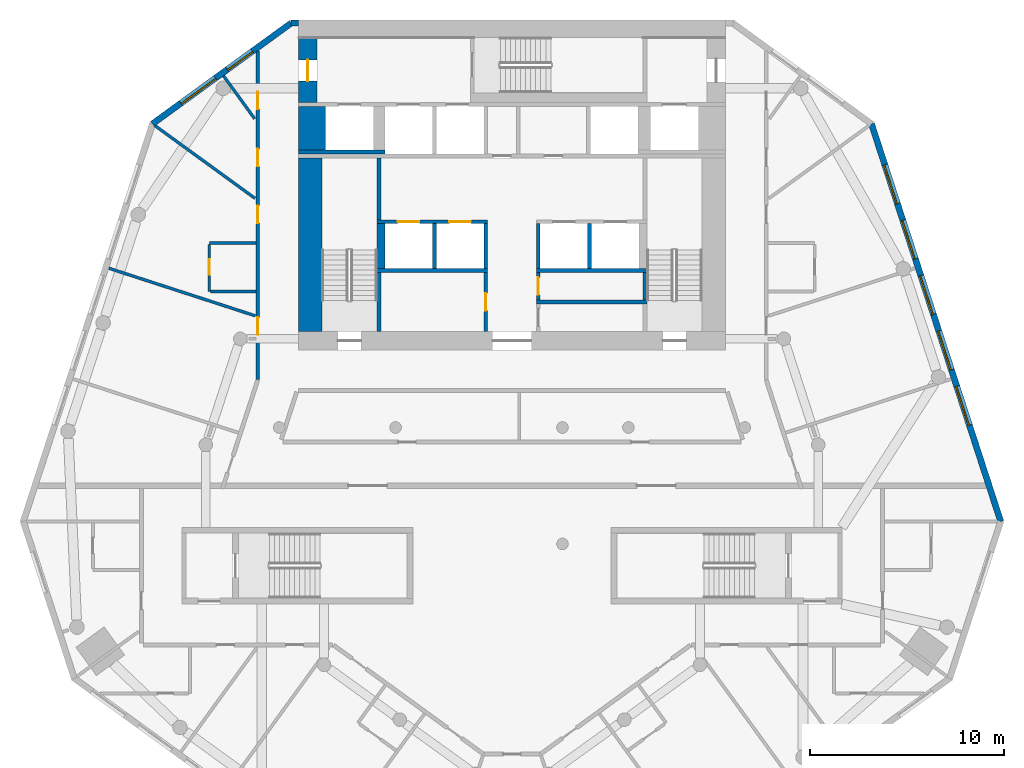
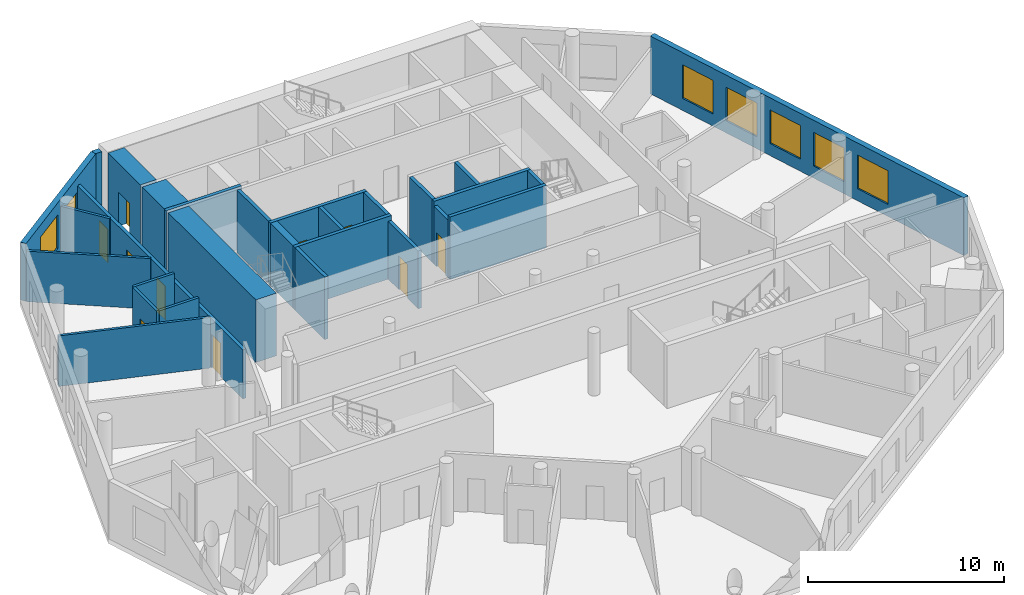
# One storey, part 5 of 9: 28 walls, 10 doors, 7 windows, 17 openings.
"""IFC4 building model written with IfcOpenShell, lengths in metres."""

from ifc_helpers import new_model, si_unit, direction, frame, frame_2d, origin, place, context, subcontext, project, spatial, rectangle, extrude, material, layer, layer_set, type_object, element, fill, save


model = new_model("IFC4")

# Units and contexts
model_context = context("Model", 3, precision=1e-05, world=origin(), true_north=direction((0.0, 1.0)))
body_context = subcontext(model_context, "Body", "Model", "MODEL_VIEW")
ifc_project = project(units=[si_unit("LENGTHUNIT", "METRE"), si_unit("AREAUNIT", "SQUARE_METRE"), si_unit("VOLUMEUNIT", "CUBIC_METRE"), si_unit("PLANEANGLEUNIT", "RADIAN"), si_unit("MASSUNIT", "GRAM", prefix="KILO")], contexts=[model_context])

# Site, building, storey
site_placement = place(None, origin())
site = spatial("IfcSite", under=ifc_project, at=site_placement, CompositionType="ELEMENT")
building_placement = place(site_placement, origin())
building = spatial("IfcBuilding", under=site, at=building_placement, Name="White Candle Pilgrim Tower", CompositionType="ELEMENT")
storey_placement = place(building_placement, frame((0.0, 0.0, 164.199951171875)))
storey = spatial("IfcBuildingStorey", under=building, at=storey_placement, Name="L37", CompositionType="ELEMENT", Elevation=164.199951171875)

# Walls
ifc_material_1 = material(Name="Concrete C60/75", Category="concrete")
ifc_layer_1 = layer(ifc_material_1, 1.39990234375)
ifc_layer_set_1 = layer_set([ifc_layer_1], Name="Core wall 1400 mm Concrete C60/75")
wall_type_1 = type_object("IfcWallType", Name="Core wall 1400 mm Concrete C60/75", PredefinedType="SHEAR", material=ifc_layer_set_1)
wall_1_placement = place(storey_placement, frame((59.699951171875, 81.300048828125, 0.0), z_axis=(0.0, 0.0, 1.0), x_axis=(0.0, 1.0, 0.0)))
element("IfcWall", 1, at=wall_1_placement, inside=storey, type_object=wall_type_1, Name="WL-L37-C40", PredefinedType="SHEAR", context=body_context, shape_type="SweptSolid", body=[
    extrude(rectangle(XDim=2.25, YDim=1.39990234375, at=frame_2d((1.125, 0.0))), origin(), (0.0, 0.0, 1.0), 3.900146484375),
])
ifc_layer_2 = layer(ifc_material_1, 0.199951171875)
ifc_layer_set_2 = layer_set([ifc_layer_2], Name="Core wall 200 mm Concrete C60/75")
wall_type_2 = type_object("IfcWallType", Name="Core wall 200 mm Concrete C60/75", PredefinedType="SHEAR", material=ifc_layer_set_2)
wall_2_placement = place(storey_placement, frame((59.0, 81.199951171875, 0.0), z_axis=(0.0, 0.0, 1.0), x_axis=(1.0, 0.0, 0.0)))
element("IfcWall", 2, at=wall_2_placement, inside=storey, type_object=wall_type_2, Name="WL-L37-C34", PredefinedType="SHEAR", context=body_context, shape_type="SweptSolid", body=[
    extrude(rectangle(XDim=4.449951171875, YDim=0.199951171875, at=frame_2d((2.22509765625, 0.0))), origin(), (0.0, 0.0, 1.0), 3.900146484375),
])

# Wall, opening, door
ifc_layer_3 = layer(ifc_material_1, 0.949951171875)
ifc_layer_set_3 = layer_set([ifc_layer_3], Name="Core wall 950 mm Concrete C60/75")
wall_type_3 = type_object("IfcWallType", Name="Core wall 950 mm Concrete C60/75", PredefinedType="SHEAR", material=ifc_layer_set_3)
wall_3_placement = place(storey_placement, frame((59.47509765625, 83.75, 0.0), z_axis=(0.0, 0.0, 1.0), x_axis=(0.0, 1.0, 0.0)))
wall_3 = element("IfcWall", 3, at=wall_3_placement, inside=storey, type_object=wall_type_3, Name="WL-L37-C45", PredefinedType="SHEAR", context=body_context, shape_type="SweptSolid", body=[
    extrude(rectangle(XDim=3.300048828125, YDim=0.949951171875, at=frame_2d((1.64990234375, 0.0))), origin(), (0.0, 0.0, 1.0), 3.900146484375),
])
opening_1_placement = place(wall_3_placement, frame((1.10009765625, 0.0, 0.0)))
opening_1 = element("IfcOpeningElement", 4, at=opening_1_placement, cuts=wall_3, Name="Opening T11-008", PredefinedType="OPENING", context=body_context, shape_type="SweptSolid", body=[
    extrude(rectangle(XDim=1.10009765625, YDim=2.10009765625, at=frame_2d((0.550048828125, 1.050048828125))), frame((0.0, 0.48486328125, 0.0), z_axis=(0.0, -1.0, 0.0), x_axis=(1.0, 0.0, 0.0)), (0.0, 0.0, 1.0), 0.969970703125),
])
ifc_material_2 = material(Name="Steel door leaf", Category="steel")
door_type_1 = type_object("IfcDoorType", Name="Fire door 1100 x 2100 EI 60", OperationType="NOTDEFINED", PredefinedType="DOOR", material=ifc_material_2)
door_1_placement = place(opening_1_placement, origin())
door_1 = element("IfcDoor", 5, at=door_1_placement, inside=storey, type_object=door_type_1, Name="Door T11-008", OperationType="SINGLE_SWING_RIGHT", OverallHeight=2.10009765625, OverallWidth=1.10009765625, PredefinedType="DOOR", context=body_context, shape_type="SweptSolid", body=[
    extrude(rectangle(XDim=1.10009765625, YDim=2.10009765625, at=frame_2d((0.550048828125, 1.050048828125))), frame((0.0, 0.02490234375, 0.0), z_axis=(0.0, -1.0, 0.0), x_axis=(1.0, 0.0, 0.0)), (0.0, 0.0, 1.0), 0.050048828125),
])
fill(opening_1, door_1)

# Wall, openings, doors
ifc_material_3 = material(Name="Gypsum board on steel studs", Category="steel")
ifc_layer_4 = layer(ifc_material_3, 0.199951171875)
ifc_layer_set_4 = layer_set([ifc_layer_4], Name="Corridor wall 200 mm EI 45")
wall_type_4 = type_object("IfcWallType", Name="Corridor wall 200 mm EI 45", PredefinedType="PARTITIONING", material=ifc_layer_set_4)
wall_4_placement = place(storey_placement, frame((56.89990234375, 69.472900390625, 0.0), z_axis=(0.0, 0.0, 1.0), x_axis=(0.0, 1.0, 0.0)))
wall_4 = element("IfcWall", 6, at=wall_4_placement, inside=storey, type_object=wall_type_4, Name="WL-L37-P003", PredefinedType="PARTITIONING", context=body_context, shape_type="SweptSolid", body=[
    extrude(rectangle(XDim=16.92333984375, YDim=0.199951171875, at=frame_2d((8.461669921875, 0.0))), origin(), (0.0, 0.0, 1.0), 3.050048828125),
])
opening_2_placement = place(wall_4_placement, frame((2.29638671875, 0.0, 0.0)))
opening_2 = element("IfcOpeningElement", 7, at=opening_2_placement, cuts=wall_4, Name="Opening T11-125", PredefinedType="OPENING", context=body_context, shape_type="SweptSolid", body=[
    extrude(rectangle(XDim=0.89990234375, YDim=2.10009765625, at=frame_2d((0.449951171875, 1.050048828125))), frame((0.0, 0.10986328125, 0.0), z_axis=(0.0, -1.0, 0.0), x_axis=(1.0, 0.0, 0.0)), (0.0, 0.0, 1.0), 0.219970703125),
])
opening_3_placement = place(wall_4_placement, frame((8.06298828125, 0.0, 0.0)))
opening_3 = element("IfcOpeningElement", 8, at=opening_3_placement, cuts=wall_4, Name="Opening T11-126", PredefinedType="OPENING", context=body_context, shape_type="SweptSolid", body=[
    extrude(rectangle(XDim=0.89990234375, YDim=2.10009765625, at=frame_2d((0.449951171875, 1.050048828125))), frame((0.0, 0.10986328125, 0.0), z_axis=(0.0, -1.0, 0.0), x_axis=(1.0, 0.0, 0.0)), (0.0, 0.0, 1.0), 0.219970703125),
])
opening_4_placement = place(wall_4_placement, frame((10.989501953125, 0.0, 0.0)))
opening_4 = element("IfcOpeningElement", 9, at=opening_4_placement, cuts=wall_4, Name="Opening T11-127", PredefinedType="OPENING", context=body_context, shape_type="SweptSolid", body=[
    extrude(rectangle(XDim=0.89990234375, YDim=2.10009765625, at=frame_2d((0.449951171875, 1.050048828125))), frame((0.0, 0.10986328125, 0.0), z_axis=(0.0, -1.0, 0.0), x_axis=(1.0, 0.0, 0.0)), (0.0, 0.0, 1.0), 0.219970703125),
])
opening_5_placement = place(wall_4_placement, frame((13.934814453125, 0.0, 0.0)))
opening_5 = element("IfcOpeningElement", 10, at=opening_5_placement, cuts=wall_4, Name="Opening T11-128", PredefinedType="OPENING", context=body_context, shape_type="SweptSolid", body=[
    extrude(rectangle(XDim=0.89990234375, YDim=2.10009765625, at=frame_2d((0.449951171875, 1.050048828125))), frame((0.0, 0.10986328125, 0.0), z_axis=(0.0, -1.0, 0.0), x_axis=(1.0, 0.0, 0.0)), (0.0, 0.0, 1.0), 0.219970703125),
])
door_type_2 = type_object("IfcDoorType", Name="Fire door 900 x 2100 EI 30", OperationType="NOTDEFINED", PredefinedType="DOOR", material=ifc_material_2)
door_2_placement = place(opening_2_placement, origin())
door_2 = element("IfcDoor", 11, at=door_2_placement, inside=storey, type_object=door_type_2, Name="Door T11-125", OperationType="SINGLE_SWING_RIGHT", OverallHeight=2.10009765625, OverallWidth=0.89990234375, PredefinedType="DOOR", context=body_context, shape_type="SweptSolid", body=[
    extrude(rectangle(XDim=0.89990234375, YDim=2.10009765625, at=frame_2d((0.449951171875, 1.050048828125))), frame((0.0, 0.02490234375, 0.0), z_axis=(0.0, -1.0, 0.0), x_axis=(1.0, 0.0, 0.0)), (0.0, 0.0, 1.0), 0.050048828125),
])
fill(opening_2, door_2)
door_3_placement = place(opening_3_placement, origin())
door_3 = element("IfcDoor", 12, at=door_3_placement, inside=storey, type_object=door_type_2, Name="Door T11-126", OperationType="SINGLE_SWING_RIGHT", OverallHeight=2.10009765625, OverallWidth=0.89990234375, PredefinedType="DOOR", context=body_context, shape_type="SweptSolid", body=[
    extrude(rectangle(XDim=0.89990234375, YDim=2.10009765625, at=frame_2d((0.449951171875, 1.050048828125))), frame((0.0, 0.02490234375, 0.0), z_axis=(0.0, -1.0, 0.0), x_axis=(1.0, 0.0, 0.0)), (0.0, 0.0, 1.0), 0.050048828125),
])
fill(opening_3, door_3)
door_4_placement = place(opening_4_placement, origin())
door_4 = element("IfcDoor", 13, at=door_4_placement, inside=storey, type_object=door_type_2, Name="Door T11-127", OperationType="SINGLE_SWING_LEFT", OverallHeight=2.10009765625, OverallWidth=0.89990234375, PredefinedType="DOOR", context=body_context, shape_type="SweptSolid", body=[
    extrude(rectangle(XDim=0.89990234375, YDim=2.10009765625, at=frame_2d((0.449951171875, 1.050048828125))), frame((0.0, 0.02490234375, 0.0), z_axis=(0.0, -1.0, 0.0), x_axis=(1.0, 0.0, 0.0)), (0.0, 0.0, 1.0), 0.050048828125),
])
fill(opening_4, door_4)
door_5_placement = place(opening_5_placement, origin())
door_5 = element("IfcDoor", 14, at=door_5_placement, inside=storey, type_object=door_type_2, Name="Door T11-128", OperationType="SINGLE_SWING_RIGHT", OverallHeight=2.10009765625, OverallWidth=0.89990234375, PredefinedType="DOOR", context=body_context, shape_type="SweptSolid", body=[
    extrude(rectangle(XDim=0.89990234375, YDim=2.10009765625, at=frame_2d((0.449951171875, 1.050048828125))), frame((0.0, 0.02490234375, 0.0), z_axis=(0.0, -1.0, 0.0), x_axis=(1.0, 0.0, 0.0)), (0.0, 0.0, 1.0), 0.050048828125),
])
fill(opening_5, door_5)

# Wall, openings, windows
ifc_material_4 = material(Name="Precast concrete C40/50", Category="concrete")
ifc_layer_5 = layer(ifc_material_4, 0.320068359375)
ifc_layer_set_5 = layer_set([ifc_layer_5], Name="Facade wall EW1 precast concrete C40/50 pier wall with timber-lined reveals")
wall_type_5 = type_object("IfcWallType", Name="Facade wall EW1 precast concrete C40/50 pier wall with timber-lined reveals", PredefinedType="SOLIDWALL", material=ifc_layer_set_5)
wall_5_placement = place(storey_placement, frame((95.18701171875, 62.158447265625, 0.0), z_axis=(0.0, 0.0, 1.0), x_axis=(-0.309015355068, 0.951057048937, 0.0)))
wall_5 = element("IfcWall", 15, at=wall_5_placement, inside=storey, type_object=wall_type_5, Name="Facade wall L37 ENE", PredefinedType="SOLIDWALL", context=body_context, shape_type="SweptSolid", body=[
    extrude(rectangle(XDim=21.545654296875, YDim=0.320068359375, at=frame_2d((10.77294921875, 0.0))), origin(), (0.0, 0.0, 1.0), 3.60009765625),
])
opening_6_placement = place(wall_5_placement, frame((5.222900390625, 0.0, 0.75)))
opening_6 = element("IfcOpeningElement", 16, at=opening_6_placement, cuts=wall_5, Name="Opening W3", PredefinedType="OPENING", context=body_context, shape_type="SweptSolid", body=[
    extrude(rectangle(XDim=2.10009765625, YDim=2.10009765625, at=frame_2d((1.050048828125, 1.050048828125))), frame((0.0, 0.169921875, 0.0), z_axis=(0.0, -1.0, 0.0), x_axis=(1.0, 0.0, 0.0)), (0.0, 0.0, 1.0), 0.340087890625),
])
opening_7_placement = place(wall_5_placement, frame((8.222900390625, 0.0, 0.75)))
opening_7 = element("IfcOpeningElement", 17, at=opening_7_placement, cuts=wall_5, Name="Opening W3", PredefinedType="OPENING", context=body_context, shape_type="SweptSolid", body=[
    extrude(rectangle(XDim=2.10009765625, YDim=2.10009765625, at=frame_2d((1.050048828125, 1.050048828125))), frame((0.0, 0.169921875, 0.0), z_axis=(0.0, -1.0, 0.0), x_axis=(1.0, 0.0, 0.0)), (0.0, 0.0, 1.0), 0.340087890625),
])
opening_8_placement = place(wall_5_placement, frame((11.222900390625, 0.0, 0.75)))
opening_8 = element("IfcOpeningElement", 18, at=opening_8_placement, cuts=wall_5, Name="Opening W3", PredefinedType="OPENING", context=body_context, shape_type="SweptSolid", body=[
    extrude(rectangle(XDim=2.10009765625, YDim=2.10009765625, at=frame_2d((1.050048828125, 1.050048828125))), frame((0.0, 0.169921875, 0.0), z_axis=(0.0, -1.0, 0.0), x_axis=(1.0, 0.0, 0.0)), (0.0, 0.0, 1.0), 0.340087890625),
])
opening_9_placement = place(wall_5_placement, frame((14.222900390625, 0.0, 0.75)))
opening_9 = element("IfcOpeningElement", 19, at=opening_9_placement, cuts=wall_5, Name="Opening W3", PredefinedType="OPENING", context=body_context, shape_type="SweptSolid", body=[
    extrude(rectangle(XDim=2.10009765625, YDim=2.10009765625, at=frame_2d((1.050048828125, 1.050048828125))), frame((0.0, 0.169921875, 0.0), z_axis=(0.0, -1.0, 0.0), x_axis=(1.0, 0.0, 0.0)), (0.0, 0.0, 1.0), 0.340087890625),
])
opening_10_placement = place(wall_5_placement, frame((17.222900390625, 0.0, 0.75)))
opening_10 = element("IfcOpeningElement", 20, at=opening_10_placement, cuts=wall_5, Name="Opening W3", PredefinedType="OPENING", context=body_context, shape_type="SweptSolid", body=[
    extrude(rectangle(XDim=2.10009765625, YDim=2.10009765625, at=frame_2d((1.050048828125, 1.050048828125))), frame((0.0, 0.169921875, 0.0), z_axis=(0.0, -1.0, 0.0), x_axis=(1.0, 0.0, 0.0)), (0.0, 0.0, 1.0), 0.340087890625),
])
ifc_material_5 = material(Name="Timber frame with triple glazing", Category="wood")
window_type_1 = type_object("IfcWindowType", Name="Window W3 2100x2100 timber frame triple glazing", PartitioningType="SINGLE_PANEL", PredefinedType="WINDOW", material=ifc_material_5)
window_1_placement = place(opening_6_placement, origin())
window_1 = element("IfcWindow", 21, at=window_1_placement, inside=storey, type_object=window_type_1, Name="Window W3 L37 ENE 2", OverallHeight=2.10009765625, OverallWidth=2.10009765625, PartitioningType="SINGLE_PANEL", PredefinedType="WINDOW", context=body_context, shape_type="SweptSolid", body=[
    extrude(rectangle(XDim=2.10009765625, YDim=2.10009765625, at=frame_2d((1.050048828125, 1.050048828125))), frame((0.0, 0.070068359375, 0.0), z_axis=(0.0, -1.0, 0.0), x_axis=(1.0, 0.0, 0.0)), (0.0, 0.0, 1.0), 0.06005859375),
])
fill(opening_6, window_1)
window_2_placement = place(opening_7_placement, origin())
window_2 = element("IfcWindow", 22, at=window_2_placement, inside=storey, type_object=window_type_1, Name="Window W3 L37 ENE 3", OverallHeight=2.10009765625, OverallWidth=2.10009765625, PartitioningType="SINGLE_PANEL", PredefinedType="WINDOW", context=body_context, shape_type="SweptSolid", body=[
    extrude(rectangle(XDim=2.10009765625, YDim=2.10009765625, at=frame_2d((1.050048828125, 1.050048828125))), frame((0.0, 0.070068359375, 0.0), z_axis=(0.0, -1.0, 0.0), x_axis=(1.0, 0.0, 0.0)), (0.0, 0.0, 1.0), 0.06005859375),
])
fill(opening_7, window_2)
window_3_placement = place(opening_8_placement, origin())
window_3 = element("IfcWindow", 23, at=window_3_placement, inside=storey, type_object=window_type_1, Name="Window W3 L37 ENE 4", OverallHeight=2.10009765625, OverallWidth=2.10009765625, PartitioningType="SINGLE_PANEL", PredefinedType="WINDOW", context=body_context, shape_type="SweptSolid", body=[
    extrude(rectangle(XDim=2.10009765625, YDim=2.10009765625, at=frame_2d((1.050048828125, 1.050048828125))), frame((0.0, 0.070068359375, 0.0), z_axis=(0.0, -1.0, 0.0), x_axis=(1.0, 0.0, 0.0)), (0.0, 0.0, 1.0), 0.06005859375),
])
fill(opening_8, window_3)
window_4_placement = place(opening_9_placement, origin())
window_4 = element("IfcWindow", 24, at=window_4_placement, inside=storey, type_object=window_type_1, Name="Window W3 L37 ENE 5", OverallHeight=2.10009765625, OverallWidth=2.10009765625, PartitioningType="SINGLE_PANEL", PredefinedType="WINDOW", context=body_context, shape_type="SweptSolid", body=[
    extrude(rectangle(XDim=2.10009765625, YDim=2.10009765625, at=frame_2d((1.050048828125, 1.050048828125))), frame((0.0, 0.070068359375, 0.0), z_axis=(0.0, -1.0, 0.0), x_axis=(1.0, 0.0, 0.0)), (0.0, 0.0, 1.0), 0.06005859375),
])
fill(opening_9, window_4)
window_5_placement = place(opening_10_placement, origin())
window_5 = element("IfcWindow", 25, at=window_5_placement, inside=storey, type_object=window_type_1, Name="Window W3 L37 ENE 6", OverallHeight=2.10009765625, OverallWidth=2.10009765625, PartitioningType="SINGLE_PANEL", PredefinedType="WINDOW", context=body_context, shape_type="SweptSolid", body=[
    extrude(rectangle(XDim=2.10009765625, YDim=2.10009765625, at=frame_2d((1.050048828125, 1.050048828125))), frame((0.0, 0.070068359375, 0.0), z_axis=(0.0, -1.0, 0.0), x_axis=(1.0, 0.0, 0.0)), (0.0, 0.0, 1.0), 0.06005859375),
])
fill(opening_10, window_5)

# Wall
wall_6_placement = place(storey_placement, frame((59.0, 87.840087890625, 0.0), z_axis=(0.0, 0.0, 1.0), x_axis=(-1.0, 0.0, 0.0)))
element("IfcWall", 26, at=wall_6_placement, inside=storey, type_object=wall_type_5, Name="Facade wall L37 N", PredefinedType="SOLIDWALL", context=body_context, shape_type="SweptSolid", body=[
    extrude(rectangle(XDim=0.385009765625, YDim=0.320068359375, at=frame_2d((0.1923828125, 0.0))), origin(), (0.0, 0.0, 1.0), 3.60009765625),
])

# Wall, openings, windows
wall_7_placement = place(storey_placement, frame((58.614990234375, 87.840087890625, 0.0), z_axis=(0.0, 0.0, 1.0), x_axis=(-0.809018144148, -0.587783669762, 0.0)))
wall_7 = element("IfcWall", 27, at=wall_7_placement, inside=storey, type_object=wall_type_5, Name="Facade wall L37 NW chamfer", PredefinedType="SOLIDWALL", context=body_context, shape_type="SweptSolid", body=[
    extrude(rectangle(XDim=8.83056640625, YDim=0.320068359375, at=frame_2d((4.415283203125, 0.0))), origin(), (0.0, 0.0, 1.0), 3.60009765625),
])
opening_11_placement = place(wall_7_placement, frame((2.459716796875, 0.0, 0.89990234375)))
opening_11 = element("IfcOpeningElement", 28, at=opening_11_placement, cuts=wall_7, Name="Opening W2", PredefinedType="OPENING", context=body_context, shape_type="SweptSolid", body=[
    extrude(rectangle(XDim=1.60009765625, YDim=1.800048828125, at=frame_2d((0.800048828125, 0.89990234375))), frame((0.0, 0.169921875, 0.0), z_axis=(0.0, -1.0, 0.0), x_axis=(1.0, 0.0, 0.0)), (0.0, 0.0, 1.0), 0.340087890625),
])
opening_12_placement = place(wall_7_placement, frame((4.815185546875, 0.0, 0.75)))
opening_12 = element("IfcOpeningElement", 29, at=opening_12_placement, cuts=wall_7, Name="Opening W4", PredefinedType="OPENING", context=body_context, shape_type="SweptSolid", body=[
    extrude(rectangle(XDim=2.199951171875, YDim=2.10009765625, at=frame_2d((1.10009765625, 1.050048828125))), frame((0.0, 0.169921875, 0.0), z_axis=(0.0, -1.0, 0.0), x_axis=(1.0, 0.0, 0.0)), (0.0, 0.0, 1.0), 0.340087890625),
])
window_type_2 = type_object("IfcWindowType", Name="Window W2 1600x1800 timber frame triple glazing", PartitioningType="SINGLE_PANEL", PredefinedType="WINDOW", material=ifc_material_5)
window_6_placement = place(opening_11_placement, origin())
window_6 = element("IfcWindow", 30, at=window_6_placement, inside=storey, type_object=window_type_2, Name="Window W2 L37 NW chamfer 1", OverallHeight=1.800048828125, OverallWidth=1.60009765625, PartitioningType="SINGLE_PANEL", PredefinedType="WINDOW", context=body_context, shape_type="SweptSolid", body=[
    extrude(rectangle(XDim=1.60009765625, YDim=1.800048828125, at=frame_2d((0.800048828125, 0.89990234375))), frame((0.0, 0.070068359375, 0.0), z_axis=(0.0, -1.0, 0.0), x_axis=(1.0, 0.0, 0.0)), (0.0, 0.0, 1.0), 0.06005859375),
])
fill(opening_11, window_6)
window_type_3 = type_object("IfcWindowType", Name="Window W4 2200x2100 timber frame triple glazing", PartitioningType="SINGLE_PANEL", PredefinedType="WINDOW", material=ifc_material_5)
window_7_placement = place(opening_12_placement, origin())
window_7 = element("IfcWindow", 31, at=window_7_placement, inside=storey, type_object=window_type_3, Name="Window W4 L37 NW chamfer 2", OverallHeight=2.10009765625, OverallWidth=2.199951171875, PartitioningType="SINGLE_PANEL", PredefinedType="WINDOW", context=body_context, shape_type="SweptSolid", body=[
    extrude(rectangle(XDim=2.199951171875, YDim=2.10009765625, at=frame_2d((1.10009765625, 1.050048828125))), frame((0.0, 0.070068359375, 0.0), z_axis=(0.0, -1.0, 0.0), x_axis=(1.0, 0.0, 0.0)), (0.0, 0.0, 1.0), 0.06005859375),
])
fill(opening_12, window_7)

# Wall, opening, door
ifc_layer_6 = layer(ifc_material_3, 0.199951171875)
ifc_layer_set_6 = layer_set([ifc_layer_6], Name="Lobby wall 200 mm EI 60")
wall_type_6 = type_object("IfcWallType", Name="Lobby wall 200 mm EI 60", PredefinedType="PARTITIONING", material=ifc_layer_set_6)
wall_8_placement = place(storey_placement, frame((68.64990234375, 71.949951171875, 0.0), z_axis=(0.0, 0.0, 1.0), x_axis=(0.0, 1.0, 0.0)))
wall_8 = element("IfcWall", 32, at=wall_8_placement, inside=storey, type_object=wall_type_6, Name="WL-L37-C14", PredefinedType="PARTITIONING", context=body_context, shape_type="SweptSolid", body=[
    extrude(rectangle(XDim=3.050048828125, YDim=0.199951171875, at=frame_2d((1.52490234375, 0.0))), origin(), (0.0, 0.0, 1.0), 3.60009765625),
])
opening_13_placement = place(wall_8_placement, frame((1.074951171875, 0.0, 0.0)))
opening_13 = element("IfcOpeningElement", 33, at=opening_13_placement, cuts=wall_8, Name="Opening T11-005", PredefinedType="OPENING", context=body_context, shape_type="SweptSolid", body=[
    extrude(rectangle(XDim=0.89990234375, YDim=2.10009765625, at=frame_2d((0.449951171875, 1.050048828125))), frame((0.0, 0.10986328125, 0.0), z_axis=(0.0, -1.0, 0.0), x_axis=(1.0, 0.0, 0.0)), (0.0, 0.0, 1.0), 0.219970703125),
])
door_6_placement = place(opening_13_placement, origin())
door_6 = element("IfcDoor", 34, at=door_6_placement, inside=storey, type_object=door_type_2, Name="Door T11-005", OperationType="SINGLE_SWING_LEFT", OverallHeight=2.10009765625, OverallWidth=0.89990234375, PredefinedType="DOOR", context=body_context, shape_type="SweptSolid", body=[
    extrude(rectangle(XDim=0.89990234375, YDim=2.10009765625, at=frame_2d((0.449951171875, 1.050048828125))), frame((0.0, 0.02490234375, 0.0), z_axis=(0.0, -1.0, 0.0), x_axis=(1.0, 0.0, 0.0)), (0.0, 0.0, 1.0), 0.050048828125),
])
fill(opening_13, door_6)

wall_9_placement = place(storey_placement, frame((71.35009765625, 73.574951171875, 0.0), z_axis=(0.0, 0.0, 1.0), x_axis=(0.0, 1.0, 0.0)))
wall_9 = element("IfcWall", 35, at=wall_9_placement, inside=storey, type_object=wall_type_6, Name="WL-L37-C19", PredefinedType="PARTITIONING", context=body_context, shape_type="SweptSolid", body=[
    extrude(rectangle(XDim=1.425048828125, YDim=0.199951171875, at=frame_2d((0.71240234375, 0.0))), origin(), (0.0, 0.0, 1.0), 3.60009765625),
])
opening_14_placement = place(wall_9_placement, frame((0.262451171875, 0.0, 0.0)))
opening_14 = element("IfcOpeningElement", 36, at=opening_14_placement, cuts=wall_9, Name="Opening T11-007", PredefinedType="OPENING", context=body_context, shape_type="SweptSolid", body=[
    extrude(rectangle(XDim=0.89990234375, YDim=2.10009765625, at=frame_2d((0.449951171875, 1.050048828125))), frame((0.0, 0.10986328125, 0.0), z_axis=(0.0, -1.0, 0.0), x_axis=(1.0, 0.0, 0.0)), (0.0, 0.0, 1.0), 0.219970703125),
])
door_7_placement = place(opening_14_placement, origin())
door_7 = element("IfcDoor", 37, at=door_7_placement, inside=storey, type_object=door_type_2, Name="Door T11-007", OperationType="SINGLE_SWING_LEFT", OverallHeight=2.10009765625, OverallWidth=0.89990234375, PredefinedType="DOOR", context=body_context, shape_type="SweptSolid", body=[
    extrude(rectangle(XDim=0.89990234375, YDim=2.10009765625, at=frame_2d((0.449951171875, 1.050048828125))), frame((0.0, 0.02490234375, 0.0), z_axis=(0.0, -1.0, 0.0), x_axis=(1.0, 0.0, 0.0)), (0.0, 0.0, 1.0), 0.050048828125),
])
fill(opening_14, door_7)

# Walls
ifc_layer_7 = layer(ifc_material_3, 0.14990234375)
ifc_layer_set_7 = layer_set([ifc_layer_7], Name="Partition 150 mm EI 60")
wall_type_7 = type_object("IfcWallType", Name="Partition 150 mm EI 60", PredefinedType="PARTITIONING", material=ifc_layer_set_7)
wall_10_placement = place(storey_placement, frame((51.607177734375, 82.55078125, 0.0), z_axis=(0.0, 0.0, 1.0), x_axis=(0.809018004504, -0.587783861966, 0.0)))
element("IfcWall", 38, at=wall_10_placement, inside=storey, type_object=wall_type_7, Name="WL-L37-P017", PredefinedType="PARTITIONING", context=body_context, shape_type="SweptSolid", body=[
    extrude(rectangle(XDim=6.364013671875, YDim=0.14990234375, at=frame_2d((3.18212890625, 0.0))), origin(), (0.0, 0.0, 1.0), 3.150146484375),
])
wall_11_placement = place(storey_placement, frame((55.13720703125, 85.115478515625, 0.0), z_axis=(0.0, 0.0, 1.0), x_axis=(0.587734915063, -0.809053564121, 0.0)))
element("IfcWall", 39, at=wall_11_placement, inside=storey, type_object=wall_type_7, Name="WL-L37-P025", PredefinedType="PARTITIONING", context=body_context, shape_type="SweptSolid", body=[
    extrude(rectangle(XDim=2.725830078125, YDim=0.14990234375, at=frame_2d((1.36279296875, 0.0))), origin(), (0.0, 0.0, 1.0), 3.150146484375),
])
wall_12_placement = place(storey_placement, frame((49.22119140625, 75.207763671875, 0.0), z_axis=(0.0, 0.0, 1.0), x_axis=(0.951053036923, -0.309027702575, 0.0)))
element("IfcWall", 40, at=wall_12_placement, inside=storey, type_object=wall_type_7, Name="WL-L37-P026", PredefinedType="PARTITIONING", context=body_context, shape_type="SweptSolid", body=[
    extrude(rectangle(XDim=7.944580078125, YDim=0.14990234375, at=frame_2d((3.97216796875, 0.0))), origin(), (0.0, 0.0, 1.0), 3.150146484375),
])
wall_13_placement = place(storey_placement, frame((56.800048828125, 76.5126953125, 0.0), z_axis=(0.0, 0.0, 1.0), x_axis=(-1.0, 0.0, 0.0)))
element("IfcWall", 41, at=wall_13_placement, inside=storey, type_object=wall_type_7, Name="WL-L37-P028", PredefinedType="PARTITIONING", context=body_context, shape_type="SweptSolid", body=[
    extrude(rectangle(XDim=2.400146484375, YDim=0.14990234375, at=frame_2d((1.2001953125, 0.0))), origin(), (0.0, 0.0, 1.0), 3.60009765625),
])

# Wall, opening, door
wall_14_placement = place(storey_placement, frame((54.39990234375, 74.0126953125, 0.0), z_axis=(0.0, 0.0, 1.0), x_axis=(0.0, 1.0, 0.0)))
wall_14 = element("IfcWall", 42, at=wall_14_placement, inside=storey, type_object=wall_type_7, Name="WL-L37-P029", PredefinedType="PARTITIONING", context=body_context, shape_type="SweptSolid", body=[
    extrude(rectangle(XDim=2.425048828125, YDim=0.14990234375, at=frame_2d((1.21240234375, 0.0))), origin(), (0.0, 0.0, 1.0), 3.60009765625),
])
opening_15_placement = place(wall_14_placement, frame((0.85009765625, 0.0, 0.0)))
opening_15 = element("IfcOpeningElement", 43, at=opening_15_placement, cuts=wall_14, Name="Opening T11-101", PredefinedType="OPENING", context=body_context, shape_type="SweptSolid", body=[
    extrude(rectangle(XDim=0.800048828125, YDim=2.10009765625, at=frame_2d((0.39990234375, 1.050048828125))), frame((0.0, 0.0849609375, 0.0), z_axis=(0.0, -1.0, 0.0), x_axis=(1.0, 0.0, 0.0)), (0.0, 0.0, 1.0), 0.169921875),
])
door_type_3 = type_object("IfcDoorType", Name="Fire door 800 x 2100 EI 30", OperationType="NOTDEFINED", PredefinedType="DOOR", material=ifc_material_2)
door_8_placement = place(opening_15_placement, origin())
door_8 = element("IfcDoor", 44, at=door_8_placement, inside=storey, type_object=door_type_3, Name="Door T11-101", OperationType="SINGLE_SWING_LEFT", OverallHeight=2.10009765625, OverallWidth=0.800048828125, PredefinedType="DOOR", context=body_context, shape_type="SweptSolid", body=[
    extrude(rectangle(XDim=0.800048828125, YDim=2.10009765625, at=frame_2d((0.39990234375, 1.050048828125))), frame((0.0, 0.02490234375, 0.0), z_axis=(0.0, -1.0, 0.0), x_axis=(1.0, 0.0, 0.0)), (0.0, 0.0, 1.0), 0.050048828125),
])
fill(opening_15, door_8)

# Walls
wall_15_placement = place(storey_placement, frame((56.800048828125, 74.0126953125, 0.0), z_axis=(0.0, 0.0, 1.0), x_axis=(-1.0, 0.0, 0.0)))
element("IfcWall", 45, at=wall_15_placement, inside=storey, type_object=wall_type_7, Name="WL-L37-P030", PredefinedType="PARTITIONING", context=body_context, shape_type="SweptSolid", body=[
    extrude(rectangle(XDim=2.324951171875, YDim=0.14990234375, at=frame_2d((1.16259765625, 0.0))), origin(), (0.0, 0.0, 1.0), 3.60009765625),
])
ifc_layer_8 = layer(ifc_material_1, 0.199951171875)
ifc_layer_set_8 = layer_set([ifc_layer_8], Name="Shaft wall 200 mm Concrete C60/75")
wall_type_8 = type_object("IfcWallType", Name="Shaft wall 200 mm Concrete C60/75", PredefinedType="SHEAR", material=ifc_layer_set_8)
for number, where, z_axis, x_axis, name in (
    (46, (66.0, 75.199951171875, 0.0), (0.0, 0.0, 1.0), (0.0, 1.0, 0.0), "WL-L37-C24"),
    (47, (68.64990234375, 75.199951171875, 0.0), (0.0, 0.0, 1.0), (0.0, 1.0, 0.0), "WL-L37-C25"),
    (48, (71.35009765625, 75.199951171875, 0.0), (0.0, 0.0, 1.0), (0.0, 1.0, 0.0), "WL-L37-C26"),
    (49, (74.0, 75.199951171875, 0.0), (0.0, 0.0, 1.0), (0.0, 1.0, 0.0), "WL-L37-C27"),
):
    element("IfcWall", number, at=place(storey_placement, frame(where, z_axis=z_axis, x_axis=x_axis)), inside=storey, type_object=wall_type_8, Name=name, PredefinedType="SHEAR", context=body_context, shape_type="SweptSolid", body=[
        extrude(rectangle(XDim=2.300048828125, YDim=0.199951171875, at=frame_2d((1.14990234375, 0.0))), origin(), (0.0, 0.0, 1.0), 3.900146484375),
    ])
ifc_layer_9 = layer(ifc_material_1, 1.199951171875)
ifc_layer_set_9 = layer_set([ifc_layer_9], Name="Stair shaft wall 1200 mm Concrete C60/75")
wall_type_9 = type_object("IfcWallType", Name="Stair shaft wall 1200 mm Concrete C60/75", PredefinedType="SHEAR", material=ifc_layer_set_9)
wall_16_placement = place(storey_placement, frame((59.60009765625, 71.949951171875, 0.0), z_axis=(0.0, 0.0, 1.0), x_axis=(0.0, 1.0, 0.0)))
element("IfcWall", 50, at=wall_16_placement, inside=storey, type_object=wall_type_9, Name="WL-L37-C12", PredefinedType="SHEAR", context=body_context, shape_type="SweptSolid", body=[
    extrude(rectangle(XDim=8.949951171875, YDim=1.199951171875, at=frame_2d((4.47509765625, 0.0))), origin(), (0.0, 0.0, 1.0), 3.900146484375),
])
ifc_layer_10 = layer(ifc_material_1, 0.199951171875)
ifc_layer_set_10 = layer_set([ifc_layer_10], Name="Stair shaft wall 200 mm Concrete C60/75")
wall_type_10 = type_object("IfcWallType", Name="Stair shaft wall 200 mm Concrete C60/75", PredefinedType="SHEAR", material=ifc_layer_set_10)
wall_17_placement = place(storey_placement, frame((63.14990234375, 71.949951171875, 0.0), z_axis=(0.0, 0.0, 1.0), x_axis=(0.0, 1.0, 0.0)))
element("IfcWall", 51, at=wall_17_placement, inside=storey, type_object=wall_type_10, Name="WL-L37-C13", PredefinedType="SHEAR", context=body_context, shape_type="SweptSolid", body=[
    extrude(rectangle(XDim=3.050048828125, YDim=0.199951171875, at=frame_2d((1.52490234375, 0.0))), origin(), (0.0, 0.0, 1.0), 3.900146484375),
])
wall_18_placement = place(storey_placement, frame((71.25, 73.47509765625, 0.0), z_axis=(0.0, 0.0, 1.0), x_axis=(1.0, 0.0, 0.0)))
element("IfcWall", 52, at=wall_18_placement, inside=storey, type_object=wall_type_10, Name="WL-L37-C18", PredefinedType="SHEAR", context=body_context, shape_type="SweptSolid", body=[
    extrude(rectangle(XDim=5.699951171875, YDim=0.199951171875, at=frame_2d((2.85009765625, 0.0))), origin(), (0.0, 0.0, 1.0), 3.900146484375),
])
wall_19_placement = place(storey_placement, frame((76.85009765625, 73.574951171875, 0.0), z_axis=(0.0, 0.0, 1.0), x_axis=(0.0, 1.0, 0.0)))
element("IfcWall", 53, at=wall_19_placement, inside=storey, type_object=wall_type_10, Name="WL-L37-C20", PredefinedType="SHEAR", context=body_context, shape_type="SweptSolid", body=[
    extrude(rectangle(XDim=1.425048828125, YDim=0.199951171875, at=frame_2d((0.71240234375, 0.0))), origin(), (0.0, 0.0, 1.0), 3.900146484375),
])
for number, where, z_axis, x_axis, name in (
    (54, (63.050048828125, 75.10009765625, 0.0), (0.0, 0.0, 1.0), (1.0, 0.0, 0.0), "WL-L37-C21"),
    (55, (71.25, 75.10009765625, 0.0), (0.0, 0.0, 1.0), (1.0, 0.0, 0.0), "WL-L37-C22"),
):
    element("IfcWall", number, at=place(storey_placement, frame(where, z_axis=z_axis, x_axis=x_axis)), inside=storey, type_object=wall_type_10, Name=name, PredefinedType="SHEAR", context=body_context, shape_type="SweptSolid", body=[
        extrude(rectangle(XDim=5.699951171875, YDim=0.199951171875, at=frame_2d((2.85009765625, 0.0))), origin(), (0.0, 0.0, 1.0), 3.900146484375),
    ])

# Wall, openings, doors
wall_20_placement = place(storey_placement, frame((63.050048828125, 77.60009765625, 0.0), z_axis=(0.0, 0.0, 1.0), x_axis=(1.0, 0.0, 0.0)))
wall_20 = element("IfcWall", 56, at=wall_20_placement, inside=storey, type_object=wall_type_10, Name="WL-L37-C29", PredefinedType="SHEAR", context=body_context, shape_type="SweptSolid", body=[
    extrude(rectangle(XDim=5.699951171875, YDim=0.199951171875, at=frame_2d((2.85009765625, 0.0))), origin(), (0.0, 0.0, 1.0), 3.900146484375),
])
opening_16_placement = place(wall_20_placement, frame((1.074951171875, 0.0, 0.0)))
opening_16 = element("IfcOpeningElement", 57, at=opening_16_placement, cuts=wall_20, Name="Opening T11-014", PredefinedType="OPENING", context=body_context, shape_type="SweptSolid", body=[
    extrude(rectangle(XDim=1.10009765625, YDim=2.10009765625, at=frame_2d((0.550048828125, 1.050048828125))), frame((0.0, 0.10986328125, 0.0), z_axis=(0.0, -1.0, 0.0), x_axis=(1.0, 0.0, 0.0)), (0.0, 0.0, 1.0), 0.219970703125),
])
opening_17_placement = place(wall_20_placement, frame((3.72509765625, 0.0, 0.0)))
opening_17 = element("IfcOpeningElement", 58, at=opening_17_placement, cuts=wall_20, Name="Opening T11-015", PredefinedType="OPENING", context=body_context, shape_type="SweptSolid", body=[
    extrude(rectangle(XDim=1.10009765625, YDim=2.10009765625, at=frame_2d((0.550048828125, 1.050048828125))), frame((0.0, 0.10986328125, 0.0), z_axis=(0.0, -1.0, 0.0), x_axis=(1.0, 0.0, 0.0)), (0.0, 0.0, 1.0), 0.219970703125),
])
ifc_material_6 = material(Name="Stainless steel", Category="steel")
door_type_4 = type_object("IfcDoorType", Name="Lift landing door 1100 x 2100 E 60", OperationType="DOUBLE_DOOR_SLIDING", PredefinedType="DOOR", material=ifc_material_6)
door_9_placement = place(opening_16_placement, origin())
door_9 = element("IfcDoor", 59, at=door_9_placement, inside=storey, type_object=door_type_4, Name="Door T11-014", OperationType="DOUBLE_DOOR_SLIDING", OverallHeight=2.10009765625, OverallWidth=1.10009765625, PredefinedType="DOOR", context=body_context, shape_type="SweptSolid", body=[
    extrude(rectangle(XDim=1.10009765625, YDim=2.10009765625, at=frame_2d((0.550048828125, 1.050048828125))), frame((0.0, 0.02490234375, 0.0), z_axis=(0.0, -1.0, 0.0), x_axis=(1.0, 0.0, 0.0)), (0.0, 0.0, 1.0), 0.050048828125),
])
fill(opening_16, door_9)
door_10_placement = place(opening_17_placement, origin())
door_10 = element("IfcDoor", 60, at=door_10_placement, inside=storey, type_object=door_type_4, Name="Door T11-015", OperationType="DOUBLE_DOOR_SLIDING", OverallHeight=2.10009765625, OverallWidth=1.10009765625, PredefinedType="DOOR", context=body_context, shape_type="SweptSolid", body=[
    extrude(rectangle(XDim=1.10009765625, YDim=2.10009765625, at=frame_2d((0.550048828125, 1.050048828125))), frame((0.0, 0.02490234375, 0.0), z_axis=(0.0, -1.0, 0.0), x_axis=(1.0, 0.0, 0.0)), (0.0, 0.0, 1.0), 0.050048828125),
])
fill(opening_17, door_10)

# Walls
wall_21_placement = place(storey_placement, frame((63.14990234375, 77.699951171875, 0.0), z_axis=(0.0, 0.0, 1.0), x_axis=(0.0, 1.0, 0.0)))
element("IfcWall", 61, at=wall_21_placement, inside=storey, type_object=wall_type_10, Name="WL-L37-C31", PredefinedType="SHEAR", context=body_context, shape_type="SweptSolid", body=[
    extrude(rectangle(XDim=3.199951171875, YDim=0.199951171875, at=frame_2d((1.60009765625, 0.0))), origin(), (0.0, 0.0, 1.0), 3.900146484375),
])
ifc_layer_11 = layer(ifc_material_1, 0.39990234375)
ifc_layer_set_11 = layer_set([ifc_layer_11], Name="Stair shaft wall 400 mm Concrete C60/75")
wall_type_11 = type_object("IfcWallType", Name="Stair shaft wall 400 mm Concrete C60/75", PredefinedType="SHEAR", material=ifc_layer_set_11)
wall_22_placement = place(storey_placement, frame((63.25, 75.199951171875, 0.0), z_axis=(0.0, 0.0, 1.0), x_axis=(0.0, 1.0, 0.0)))
element("IfcWall", 62, at=wall_22_placement, inside=storey, type_object=wall_type_11, Name="WL-L37-C23", PredefinedType="SHEAR", context=body_context, shape_type="SweptSolid", body=[
    extrude(rectangle(XDim=2.300048828125, YDim=0.39990234375, at=frame_2d((1.14990234375, 0.0))), origin(), (0.0, 0.0, 1.0), 3.900146484375),
])

save(model, "model.ifc")
